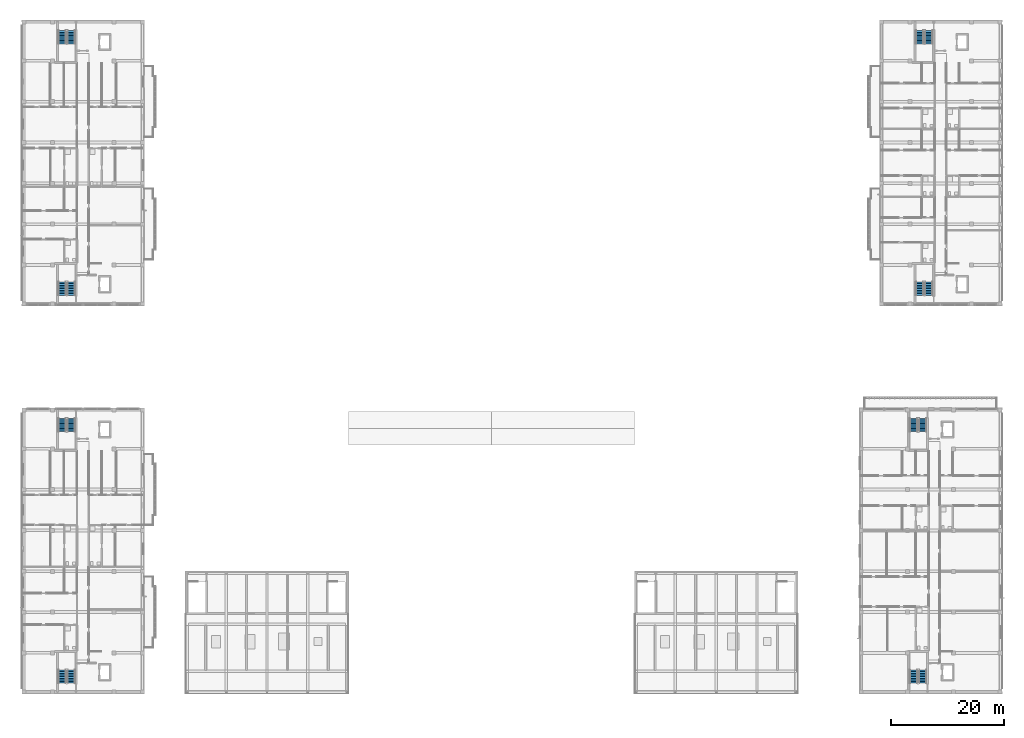
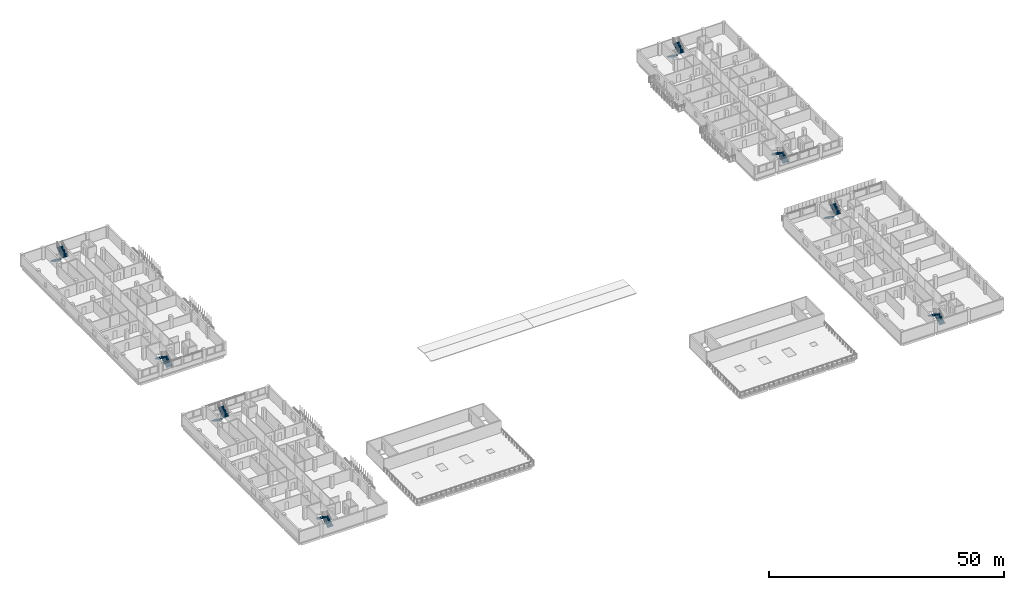
# One storey, part 40 of 56: 16 stair flights, 8 elements without a shape of their own.
"""IFC4 building model written with IfcOpenShell, lengths in metres."""

from ifc_helpers import new_model, si_unit, derived_unit, direction, frame, origin, place, context, subcontext, project, spatial, polyline, outline, extrude, material, type_object, element, aggregate, save


model = new_model("IFC4")

# Units and contexts
model_context = context("Model", 3, precision=1e-05, world=origin(), true_north=direction((0.0, 1.0)))
body_context = subcontext(model_context, "Body", "Model", "MODEL_VIEW")
ifc_project = project(units=[si_unit("LENGTHUNIT", "METRE"), si_unit("AREAUNIT", "SQUARE_METRE"), si_unit("VOLUMEUNIT", "CUBIC_METRE"), si_unit("PLANEANGLEUNIT", "RADIAN"), si_unit("MASSUNIT", "GRAM", prefix="KILO"), derived_unit("THERMALTRANSMITTANCEUNIT", [(si_unit("MASSUNIT", "GRAM", prefix="KILO"), 1), (si_unit("TIMEUNIT", "SECOND"), -3), (si_unit("THERMODYNAMICTEMPERATUREUNIT", "KELVIN"), -1)])], contexts=[model_context])

# Site, building, storey
site_placement = place(None, origin())
site = spatial("IfcSite", under=ifc_project, at=site_placement, CompositionType="ELEMENT")
building_placement = place(site_placement, origin())
building = spatial("IfcBuilding", under=site, at=building_placement, Name="Ochrekiln Boulevard Commons", CompositionType="ELEMENT")
storey_placement = place(building_placement, frame((0.0, 0.0, 12.074951171875)))
storey = spatial("IfcBuildingStorey", under=building, at=storey_placement, Name="L03", CompositionType="ELEMENT", Elevation=12.074951171875)

# Stair, stair flights
ifc_material = material(Name="Concrete C35/45", Category="concrete")
stair_type = type_object("IfcStairType", Name="STR-DL-315", PredefinedType="TWO_STRAIGHT_RUN_STAIR", material=ifc_material)
stair_1_placement = place(storey_placement, origin())
stair_1 = element("IfcStair", 1, at=stair_1_placement, inside=storey, type_object=stair_type, Name="L03 Enclosed Exit Stair ST-A1", PredefinedType="TWO_STRAIGHT_RUN_STAIR")
stair_flight_type = type_object("IfcStairFlightType", Name="SFL-ST-315", PredefinedType="STRAIGHT", material=ifc_material)
stair_flight_1_placement = place(storey_placement, frame((8.699951171875, 70.27001953125, 0.0), z_axis=(0.0, 0.0, 1.0), x_axis=(0.0, 1.0, 0.0)))
stair_flight_1 = element("IfcStairFlight", 2, at=stair_flight_1_placement, type_object=stair_flight_type, Name="ST-A1 flight 1", NumberOfRisers=9, NumberOfTreads=8, PredefinedType="STRAIGHT", RiserHeight=0.175, TreadLength=0.29, context=body_context, shape_type="SweptSolid", body=[
    extrude(outline(polyline([(0.0, 0.0), (0.0, 0.175048828125), (0.2900390625, 0.175048828125), (0.2900390625, 0.35009765625), (0.580078125, 0.35009765625), (0.580078125, 0.52490234375), (0.8701171875, 0.52490234375), (0.8701171875, 0.699951171875), (1.159912109375, 0.699951171875), (1.159912109375, 0.875), (1.449951171875, 0.875), (1.449951171875, 1.050048828125), (1.739990234375, 1.050048828125), (1.739990234375, 1.22509765625), (2.030029296875, 1.22509765625), (2.030029296875, 1.39990234375), (2.320068359375, 1.39990234375), (2.320068359375, 1.574951171875), (2.320068359375, 1.213134765625), (0.3095703125, 0.0), (0.0, 0.0)])), frame((0.0, 0.699951171875, 0.0), z_axis=(0.0, -1.0, 0.0), x_axis=(1.0, 0.0, 0.0)), (0.0, 0.0, 1.0), 1.39990234375),
])
stair_flight_2_placement = place(storey_placement, frame((7.10009765625, 72.590087890625, 1.574951171875), z_axis=(0.0, 0.0, 1.0), x_axis=(0.0, -1.0, 0.0)))
stair_flight_2 = element("IfcStairFlight", 3, at=stair_flight_2_placement, type_object=stair_flight_type, Name="ST-A1 flight 2", NumberOfRisers=9, NumberOfTreads=8, PredefinedType="STRAIGHT", RiserHeight=0.175, TreadLength=0.29, context=body_context, shape_type="SweptSolid", body=[
    extrude(outline(polyline([(0.0, 0.0), (0.0, 0.175048828125), (0.2900390625, 0.175048828125), (0.2900390625, 0.35009765625), (0.580078125, 0.35009765625), (0.580078125, 0.52490234375), (0.8701171875, 0.52490234375), (0.8701171875, 0.699951171875), (1.159912109375, 0.699951171875), (1.159912109375, 0.875), (1.449951171875, 0.875), (1.449951171875, 1.050048828125), (1.739990234375, 1.050048828125), (1.739990234375, 1.22509765625), (2.030029296875, 1.22509765625), (2.030029296875, 1.39990234375), (2.320068359375, 1.39990234375), (2.320068359375, 1.574951171875), (2.320068359375, 1.213134765625), (0.3095703125, 0.0), (0.0, 0.0)])), frame((0.0, 0.699951171875, 0.0), z_axis=(0.0, -1.0, 0.0), x_axis=(1.0, 0.0, 0.0)), (0.0, 0.0, 1.0), 1.39990234375),
])
aggregate(stair_1, [stair_flight_1, stair_flight_2])

stair_2_placement = place(storey_placement, origin())
stair_2 = element("IfcStair", 4, at=stair_2_placement, inside=storey, type_object=stair_type, Name="L03 Enclosed Exit Stair ST-A2", PredefinedType="TWO_STRAIGHT_RUN_STAIR")
stair_flight_3_placement = place(storey_placement, frame((7.10009765625, 116.929931640625, 0.0), z_axis=(0.0, 0.0, 1.0), x_axis=(0.0, -1.0, 0.0)))
stair_flight_3 = element("IfcStairFlight", 5, at=stair_flight_3_placement, type_object=stair_flight_type, Name="ST-A2 flight 1", NumberOfRisers=9, NumberOfTreads=8, PredefinedType="STRAIGHT", RiserHeight=0.175, TreadLength=0.29, context=body_context, shape_type="SweptSolid", body=[
    extrude(outline(polyline([(0.0, 0.0), (0.0, 0.175048828125), (0.2900390625, 0.175048828125), (0.2900390625, 0.35009765625), (0.580078125, 0.35009765625), (0.580078125, 0.52490234375), (0.8701171875, 0.52490234375), (0.8701171875, 0.699951171875), (1.159912109375, 0.699951171875), (1.159912109375, 0.875), (1.449951171875, 0.875), (1.449951171875, 1.050048828125), (1.739990234375, 1.050048828125), (1.739990234375, 1.22509765625), (2.030029296875, 1.22509765625), (2.030029296875, 1.39990234375), (2.320068359375, 1.39990234375), (2.320068359375, 1.574951171875), (2.320068359375, 1.213134765625), (0.3095703125, 0.0), (0.0, 0.0)])), frame((0.0, 0.699951171875, 0.0), z_axis=(0.0, -1.0, 0.0), x_axis=(1.0, 0.0, 0.0)), (0.0, 0.0, 1.0), 1.39990234375),
])
stair_flight_4_placement = place(storey_placement, frame((8.699951171875, 114.610107421875, 1.574951171875), z_axis=(0.0, 0.0, 1.0), x_axis=(0.0, 1.0, 0.0)))
stair_flight_4 = element("IfcStairFlight", 6, at=stair_flight_4_placement, type_object=stair_flight_type, Name="ST-A2 flight 2", NumberOfRisers=9, NumberOfTreads=8, PredefinedType="STRAIGHT", RiserHeight=0.175, TreadLength=0.29, context=body_context, shape_type="SweptSolid", body=[
    extrude(outline(polyline([(0.0, 0.0), (0.0, 0.175048828125), (0.2900390625, 0.175048828125), (0.2900390625, 0.35009765625), (0.580078125, 0.35009765625), (0.580078125, 0.52490234375), (0.8701171875, 0.52490234375), (0.8701171875, 0.699951171875), (1.159912109375, 0.699951171875), (1.159912109375, 0.875), (1.449951171875, 0.875), (1.449951171875, 1.050048828125), (1.739990234375, 1.050048828125), (1.739990234375, 1.22509765625), (2.030029296875, 1.22509765625), (2.030029296875, 1.39990234375), (2.320068359375, 1.39990234375), (2.320068359375, 1.574951171875), (2.320068359375, 1.213134765625), (0.3095703125, 0.0), (0.0, 0.0)])), frame((0.0, 0.699951171875, 0.0), z_axis=(0.0, -1.0, 0.0), x_axis=(1.0, 0.0, 0.0)), (0.0, 0.0, 1.0), 1.39990234375),
])
aggregate(stair_2, [stair_flight_3, stair_flight_4])

stair_3_placement = place(storey_placement, origin())
stair_3 = element("IfcStair", 7, at=stair_3_placement, inside=storey, type_object=stair_type, Name="L03 Enclosed Exit Stair ST-B1", PredefinedType="TWO_STRAIGHT_RUN_STAIR")
stair_flight_5_placement = place(storey_placement, frame((159.89990234375, 70.27001953125, 0.0), z_axis=(0.0, 0.0, 1.0), x_axis=(0.0, 1.0, 0.0)))
stair_flight_5 = element("IfcStairFlight", 8, at=stair_flight_5_placement, type_object=stair_flight_type, Name="ST-B1 flight 1", NumberOfRisers=9, NumberOfTreads=8, PredefinedType="STRAIGHT", RiserHeight=0.175, TreadLength=0.29, context=body_context, shape_type="SweptSolid", body=[
    extrude(outline(polyline([(0.0, 0.0), (0.0, 0.175048828125), (0.2900390625, 0.175048828125), (0.2900390625, 0.35009765625), (0.580078125, 0.35009765625), (0.580078125, 0.52490234375), (0.8701171875, 0.52490234375), (0.8701171875, 0.699951171875), (1.159912109375, 0.699951171875), (1.159912109375, 0.875), (1.449951171875, 0.875), (1.449951171875, 1.050048828125), (1.739990234375, 1.050048828125), (1.739990234375, 1.22509765625), (2.030029296875, 1.22509765625), (2.030029296875, 1.39990234375), (2.320068359375, 1.39990234375), (2.320068359375, 1.574951171875), (2.320068359375, 1.213134765625), (0.3095703125, 0.0), (0.0, 0.0)])), frame((0.0, 0.699951171875, 0.0), z_axis=(0.0, -1.0, 0.0), x_axis=(1.0, 0.0, 0.0)), (0.0, 0.0, 1.0), 1.39990234375),
])
stair_flight_6_placement = place(storey_placement, frame((158.300048828125, 72.590087890625, 1.574951171875), z_axis=(0.0, 0.0, 1.0), x_axis=(0.0, -1.0, 0.0)))
stair_flight_6 = element("IfcStairFlight", 9, at=stair_flight_6_placement, type_object=stair_flight_type, Name="ST-B1 flight 2", NumberOfRisers=9, NumberOfTreads=8, PredefinedType="STRAIGHT", RiserHeight=0.175, TreadLength=0.29, context=body_context, shape_type="SweptSolid", body=[
    extrude(outline(polyline([(0.0, 0.0), (0.0, 0.175048828125), (0.2900390625, 0.175048828125), (0.2900390625, 0.35009765625), (0.580078125, 0.35009765625), (0.580078125, 0.52490234375), (0.8701171875, 0.52490234375), (0.8701171875, 0.699951171875), (1.159912109375, 0.699951171875), (1.159912109375, 0.875), (1.449951171875, 0.875), (1.449951171875, 1.050048828125), (1.739990234375, 1.050048828125), (1.739990234375, 1.22509765625), (2.030029296875, 1.22509765625), (2.030029296875, 1.39990234375), (2.320068359375, 1.39990234375), (2.320068359375, 1.574951171875), (2.320068359375, 1.213134765625), (0.3095703125, 0.0), (0.0, 0.0)])), frame((0.0, 0.699951171875, 0.0), z_axis=(0.0, -1.0, 0.0), x_axis=(1.0, 0.0, 0.0)), (0.0, 0.0, 1.0), 1.39990234375),
])
aggregate(stair_3, [stair_flight_5, stair_flight_6])

stair_4_placement = place(storey_placement, origin())
stair_4 = element("IfcStair", 10, at=stair_4_placement, inside=storey, type_object=stair_type, Name="L03 Enclosed Exit Stair ST-B2", PredefinedType="TWO_STRAIGHT_RUN_STAIR")
stair_flight_7_placement = place(storey_placement, frame((158.300048828125, 116.929931640625, 0.0), z_axis=(0.0, 0.0, 1.0), x_axis=(0.0, -1.0, 0.0)))
stair_flight_7 = element("IfcStairFlight", 11, at=stair_flight_7_placement, type_object=stair_flight_type, Name="ST-B2 flight 1", NumberOfRisers=9, NumberOfTreads=8, PredefinedType="STRAIGHT", RiserHeight=0.175, TreadLength=0.29, context=body_context, shape_type="SweptSolid", body=[
    extrude(outline(polyline([(0.0, 0.0), (0.0, 0.175048828125), (0.2900390625, 0.175048828125), (0.2900390625, 0.35009765625), (0.580078125, 0.35009765625), (0.580078125, 0.52490234375), (0.8701171875, 0.52490234375), (0.8701171875, 0.699951171875), (1.159912109375, 0.699951171875), (1.159912109375, 0.875), (1.449951171875, 0.875), (1.449951171875, 1.050048828125), (1.739990234375, 1.050048828125), (1.739990234375, 1.22509765625), (2.030029296875, 1.22509765625), (2.030029296875, 1.39990234375), (2.320068359375, 1.39990234375), (2.320068359375, 1.574951171875), (2.320068359375, 1.213134765625), (0.3095703125, 0.0), (0.0, 0.0)])), frame((0.0, 0.699951171875, 0.0), z_axis=(0.0, -1.0, 0.0), x_axis=(1.0, 0.0, 0.0)), (0.0, 0.0, 1.0), 1.39990234375),
])
stair_flight_8_placement = place(storey_placement, frame((159.89990234375, 114.610107421875, 1.574951171875), z_axis=(0.0, 0.0, 1.0), x_axis=(0.0, 1.0, 0.0)))
stair_flight_8 = element("IfcStairFlight", 12, at=stair_flight_8_placement, type_object=stair_flight_type, Name="ST-B2 flight 2", NumberOfRisers=9, NumberOfTreads=8, PredefinedType="STRAIGHT", RiserHeight=0.175, TreadLength=0.29, context=body_context, shape_type="SweptSolid", body=[
    extrude(outline(polyline([(0.0, 0.0), (0.0, 0.175048828125), (0.2900390625, 0.175048828125), (0.2900390625, 0.35009765625), (0.580078125, 0.35009765625), (0.580078125, 0.52490234375), (0.8701171875, 0.52490234375), (0.8701171875, 0.699951171875), (1.159912109375, 0.699951171875), (1.159912109375, 0.875), (1.449951171875, 0.875), (1.449951171875, 1.050048828125), (1.739990234375, 1.050048828125), (1.739990234375, 1.22509765625), (2.030029296875, 1.22509765625), (2.030029296875, 1.39990234375), (2.320068359375, 1.39990234375), (2.320068359375, 1.574951171875), (2.320068359375, 1.213134765625), (0.3095703125, 0.0), (0.0, 0.0)])), frame((0.0, 0.699951171875, 0.0), z_axis=(0.0, -1.0, 0.0), x_axis=(1.0, 0.0, 0.0)), (0.0, 0.0, 1.0), 1.39990234375),
])
aggregate(stair_4, [stair_flight_7, stair_flight_8])

stair_5_placement = place(storey_placement, origin())
stair_5 = element("IfcStair", 13, at=stair_5_placement, inside=storey, type_object=stair_type, Name="L03 Enclosed Exit Stair ST-C1", PredefinedType="TWO_STRAIGHT_RUN_STAIR")
stair_flight_9_placement = place(storey_placement, frame((158.800048828125, 1.8701171875, 0.0), z_axis=(0.0, 0.0, 1.0), x_axis=(0.0, 1.0, 0.0)))
stair_flight_9 = element("IfcStairFlight", 14, at=stair_flight_9_placement, type_object=stair_flight_type, Name="ST-C1 flight 1", NumberOfRisers=9, NumberOfTreads=8, PredefinedType="STRAIGHT", RiserHeight=0.175, TreadLength=0.29, context=body_context, shape_type="SweptSolid", body=[
    extrude(outline(polyline([(0.0, 0.0), (0.0, 0.175048828125), (0.2900390625, 0.175048828125), (0.2900390625, 0.35009765625), (0.580078125, 0.35009765625), (0.580078125, 0.52490234375), (0.8701171875, 0.52490234375), (0.8701171875, 0.699951171875), (1.159912109375, 0.699951171875), (1.159912109375, 0.875), (1.449951171875, 0.875), (1.449951171875, 1.050048828125), (1.739990234375, 1.050048828125), (1.739990234375, 1.22509765625), (2.030029296875, 1.22509765625), (2.030029296875, 1.39990234375), (2.320068359375, 1.39990234375), (2.320068359375, 1.574951171875), (2.320068359375, 1.213134765625), (0.3095703125, 0.0), (0.0, 0.0)])), frame((0.0, 0.699951171875, 0.0), z_axis=(0.0, -1.0, 0.0), x_axis=(1.0, 0.0, 0.0)), (0.0, 0.0, 1.0), 1.39990234375),
])
stair_flight_10_placement = place(storey_placement, frame((157.199951171875, 4.18994140625, 1.574951171875), z_axis=(0.0, 0.0, 1.0), x_axis=(0.0, -1.0, 0.0)))
stair_flight_10 = element("IfcStairFlight", 15, at=stair_flight_10_placement, type_object=stair_flight_type, Name="ST-C1 flight 2", NumberOfRisers=9, NumberOfTreads=8, PredefinedType="STRAIGHT", RiserHeight=0.175, TreadLength=0.29, context=body_context, shape_type="SweptSolid", body=[
    extrude(outline(polyline([(0.0, 0.0), (0.0, 0.175048828125), (0.2900390625, 0.175048828125), (0.2900390625, 0.35009765625), (0.580078125, 0.35009765625), (0.580078125, 0.52490234375), (0.8701171875, 0.52490234375), (0.8701171875, 0.699951171875), (1.159912109375, 0.699951171875), (1.159912109375, 0.875), (1.449951171875, 0.875), (1.449951171875, 1.050048828125), (1.739990234375, 1.050048828125), (1.739990234375, 1.22509765625), (2.030029296875, 1.22509765625), (2.030029296875, 1.39990234375), (2.320068359375, 1.39990234375), (2.320068359375, 1.574951171875), (2.320068359375, 1.213134765625), (0.3095703125, 0.0), (0.0, 0.0)])), frame((0.0, 0.699951171875, 0.0), z_axis=(0.0, -1.0, 0.0), x_axis=(1.0, 0.0, 0.0)), (0.0, 0.0, 1.0), 1.39990234375),
])
aggregate(stair_5, [stair_flight_9, stair_flight_10])

stair_6_placement = place(storey_placement, origin())
stair_6 = element("IfcStair", 16, at=stair_6_placement, inside=storey, type_object=stair_type, Name="L03 Enclosed Exit Stair ST-C2", PredefinedType="TWO_STRAIGHT_RUN_STAIR")
stair_flight_11_placement = place(storey_placement, frame((157.199951171875, 48.530029296875, 0.0), z_axis=(0.0, 0.0, 1.0), x_axis=(0.0, -1.0, 0.0)))
stair_flight_11 = element("IfcStairFlight", 17, at=stair_flight_11_placement, type_object=stair_flight_type, Name="ST-C2 flight 1", NumberOfRisers=9, NumberOfTreads=8, PredefinedType="STRAIGHT", RiserHeight=0.175, TreadLength=0.29, context=body_context, shape_type="SweptSolid", body=[
    extrude(outline(polyline([(0.0, 0.0), (0.0, 0.175048828125), (0.2900390625, 0.175048828125), (0.2900390625, 0.35009765625), (0.580078125, 0.35009765625), (0.580078125, 0.52490234375), (0.8701171875, 0.52490234375), (0.8701171875, 0.699951171875), (1.159912109375, 0.699951171875), (1.159912109375, 0.875), (1.449951171875, 0.875), (1.449951171875, 1.050048828125), (1.739990234375, 1.050048828125), (1.739990234375, 1.22509765625), (2.030029296875, 1.22509765625), (2.030029296875, 1.39990234375), (2.320068359375, 1.39990234375), (2.320068359375, 1.574951171875), (2.320068359375, 1.213134765625), (0.3095703125, 0.0), (0.0, 0.0)])), frame((0.0, 0.699951171875, 0.0), z_axis=(0.0, -1.0, 0.0), x_axis=(1.0, 0.0, 0.0)), (0.0, 0.0, 1.0), 1.39990234375),
])
stair_flight_12_placement = place(storey_placement, frame((158.800048828125, 46.2099609375, 1.574951171875), z_axis=(0.0, 0.0, 1.0), x_axis=(0.0, 1.0, 0.0)))
stair_flight_12 = element("IfcStairFlight", 18, at=stair_flight_12_placement, type_object=stair_flight_type, Name="ST-C2 flight 2", NumberOfRisers=9, NumberOfTreads=8, PredefinedType="STRAIGHT", RiserHeight=0.175, TreadLength=0.29, context=body_context, shape_type="SweptSolid", body=[
    extrude(outline(polyline([(0.0, 0.0), (0.0, 0.175048828125), (0.2900390625, 0.175048828125), (0.2900390625, 0.35009765625), (0.580078125, 0.35009765625), (0.580078125, 0.52490234375), (0.8701171875, 0.52490234375), (0.8701171875, 0.699951171875), (1.159912109375, 0.699951171875), (1.159912109375, 0.875), (1.449951171875, 0.875), (1.449951171875, 1.050048828125), (1.739990234375, 1.050048828125), (1.739990234375, 1.22509765625), (2.030029296875, 1.22509765625), (2.030029296875, 1.39990234375), (2.320068359375, 1.39990234375), (2.320068359375, 1.574951171875), (2.320068359375, 1.213134765625), (0.3095703125, 0.0), (0.0, 0.0)])), frame((0.0, 0.699951171875, 0.0), z_axis=(0.0, -1.0, 0.0), x_axis=(1.0, 0.0, 0.0)), (0.0, 0.0, 1.0), 1.39990234375),
])
aggregate(stair_6, [stair_flight_11, stair_flight_12])

stair_7_placement = place(storey_placement, origin())
stair_7 = element("IfcStair", 19, at=stair_7_placement, inside=storey, type_object=stair_type, Name="L03 Enclosed Exit Stair ST-D1", PredefinedType="TWO_STRAIGHT_RUN_STAIR")
stair_flight_13_placement = place(storey_placement, frame((8.699951171875, 1.8701171875, 0.0), z_axis=(0.0, 0.0, 1.0), x_axis=(0.0, 1.0, 0.0)))
stair_flight_13 = element("IfcStairFlight", 20, at=stair_flight_13_placement, type_object=stair_flight_type, Name="ST-D1 flight 1", NumberOfRisers=9, NumberOfTreads=8, PredefinedType="STRAIGHT", RiserHeight=0.175, TreadLength=0.29, context=body_context, shape_type="SweptSolid", body=[
    extrude(outline(polyline([(0.0, 0.0), (0.0, 0.175048828125), (0.2900390625, 0.175048828125), (0.2900390625, 0.35009765625), (0.580078125, 0.35009765625), (0.580078125, 0.52490234375), (0.8701171875, 0.52490234375), (0.8701171875, 0.699951171875), (1.159912109375, 0.699951171875), (1.159912109375, 0.875), (1.449951171875, 0.875), (1.449951171875, 1.050048828125), (1.739990234375, 1.050048828125), (1.739990234375, 1.22509765625), (2.030029296875, 1.22509765625), (2.030029296875, 1.39990234375), (2.320068359375, 1.39990234375), (2.320068359375, 1.574951171875), (2.320068359375, 1.213134765625), (0.3095703125, 0.0), (0.0, 0.0)])), frame((0.0, 0.699951171875, 0.0), z_axis=(0.0, -1.0, 0.0), x_axis=(1.0, 0.0, 0.0)), (0.0, 0.0, 1.0), 1.39990234375),
])
stair_flight_14_placement = place(storey_placement, frame((7.10009765625, 4.18994140625, 1.574951171875), z_axis=(0.0, 0.0, 1.0), x_axis=(0.0, -1.0, 0.0)))
stair_flight_14 = element("IfcStairFlight", 21, at=stair_flight_14_placement, type_object=stair_flight_type, Name="ST-D1 flight 2", NumberOfRisers=9, NumberOfTreads=8, PredefinedType="STRAIGHT", RiserHeight=0.175, TreadLength=0.29, context=body_context, shape_type="SweptSolid", body=[
    extrude(outline(polyline([(0.0, 0.0), (0.0, 0.175048828125), (0.2900390625, 0.175048828125), (0.2900390625, 0.35009765625), (0.580078125, 0.35009765625), (0.580078125, 0.52490234375), (0.8701171875, 0.52490234375), (0.8701171875, 0.699951171875), (1.159912109375, 0.699951171875), (1.159912109375, 0.875), (1.449951171875, 0.875), (1.449951171875, 1.050048828125), (1.739990234375, 1.050048828125), (1.739990234375, 1.22509765625), (2.030029296875, 1.22509765625), (2.030029296875, 1.39990234375), (2.320068359375, 1.39990234375), (2.320068359375, 1.574951171875), (2.320068359375, 1.213134765625), (0.3095703125, 0.0), (0.0, 0.0)])), frame((0.0, 0.699951171875, 0.0), z_axis=(0.0, -1.0, 0.0), x_axis=(1.0, 0.0, 0.0)), (0.0, 0.0, 1.0), 1.39990234375),
])
aggregate(stair_7, [stair_flight_13, stair_flight_14])

stair_8_placement = place(storey_placement, origin())
stair_8 = element("IfcStair", 22, at=stair_8_placement, inside=storey, type_object=stair_type, Name="L03 Enclosed Exit Stair ST-D2", PredefinedType="TWO_STRAIGHT_RUN_STAIR")
stair_flight_15_placement = place(storey_placement, frame((7.10009765625, 48.530029296875, 0.0), z_axis=(0.0, 0.0, 1.0), x_axis=(0.0, -1.0, 0.0)))
stair_flight_15 = element("IfcStairFlight", 23, at=stair_flight_15_placement, type_object=stair_flight_type, Name="ST-D2 flight 1", NumberOfRisers=9, NumberOfTreads=8, PredefinedType="STRAIGHT", RiserHeight=0.175, TreadLength=0.29, context=body_context, shape_type="SweptSolid", body=[
    extrude(outline(polyline([(0.0, 0.0), (0.0, 0.175048828125), (0.2900390625, 0.175048828125), (0.2900390625, 0.35009765625), (0.580078125, 0.35009765625), (0.580078125, 0.52490234375), (0.8701171875, 0.52490234375), (0.8701171875, 0.699951171875), (1.159912109375, 0.699951171875), (1.159912109375, 0.875), (1.449951171875, 0.875), (1.449951171875, 1.050048828125), (1.739990234375, 1.050048828125), (1.739990234375, 1.22509765625), (2.030029296875, 1.22509765625), (2.030029296875, 1.39990234375), (2.320068359375, 1.39990234375), (2.320068359375, 1.574951171875), (2.320068359375, 1.213134765625), (0.3095703125, 0.0), (0.0, 0.0)])), frame((0.0, 0.699951171875, 0.0), z_axis=(0.0, -1.0, 0.0), x_axis=(1.0, 0.0, 0.0)), (0.0, 0.0, 1.0), 1.39990234375),
])
stair_flight_16_placement = place(storey_placement, frame((8.699951171875, 46.2099609375, 1.574951171875), z_axis=(0.0, 0.0, 1.0), x_axis=(0.0, 1.0, 0.0)))
stair_flight_16 = element("IfcStairFlight", 24, at=stair_flight_16_placement, type_object=stair_flight_type, Name="ST-D2 flight 2", NumberOfRisers=9, NumberOfTreads=8, PredefinedType="STRAIGHT", RiserHeight=0.175, TreadLength=0.29, context=body_context, shape_type="SweptSolid", body=[
    extrude(outline(polyline([(0.0, 0.0), (0.0, 0.175048828125), (0.2900390625, 0.175048828125), (0.2900390625, 0.35009765625), (0.580078125, 0.35009765625), (0.580078125, 0.52490234375), (0.8701171875, 0.52490234375), (0.8701171875, 0.699951171875), (1.159912109375, 0.699951171875), (1.159912109375, 0.875), (1.449951171875, 0.875), (1.449951171875, 1.050048828125), (1.739990234375, 1.050048828125), (1.739990234375, 1.22509765625), (2.030029296875, 1.22509765625), (2.030029296875, 1.39990234375), (2.320068359375, 1.39990234375), (2.320068359375, 1.574951171875), (2.320068359375, 1.213134765625), (0.3095703125, 0.0), (0.0, 0.0)])), frame((0.0, 0.699951171875, 0.0), z_axis=(0.0, -1.0, 0.0), x_axis=(1.0, 0.0, 0.0)), (0.0, 0.0, 1.0), 1.39990234375),
])
aggregate(stair_8, [stair_flight_15, stair_flight_16])

save(model, "model.ifc")
